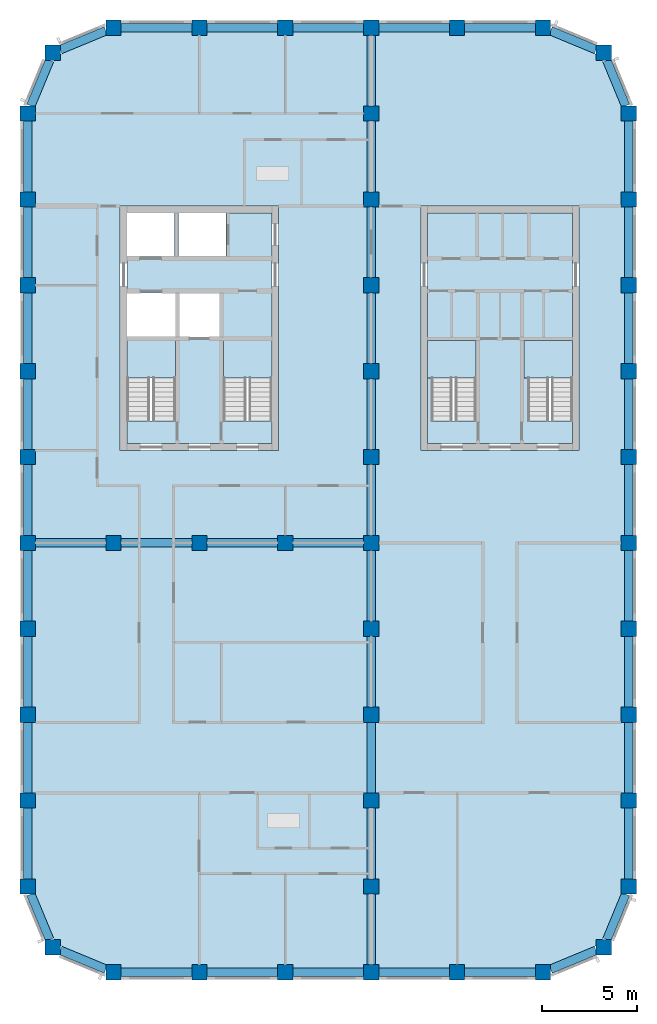
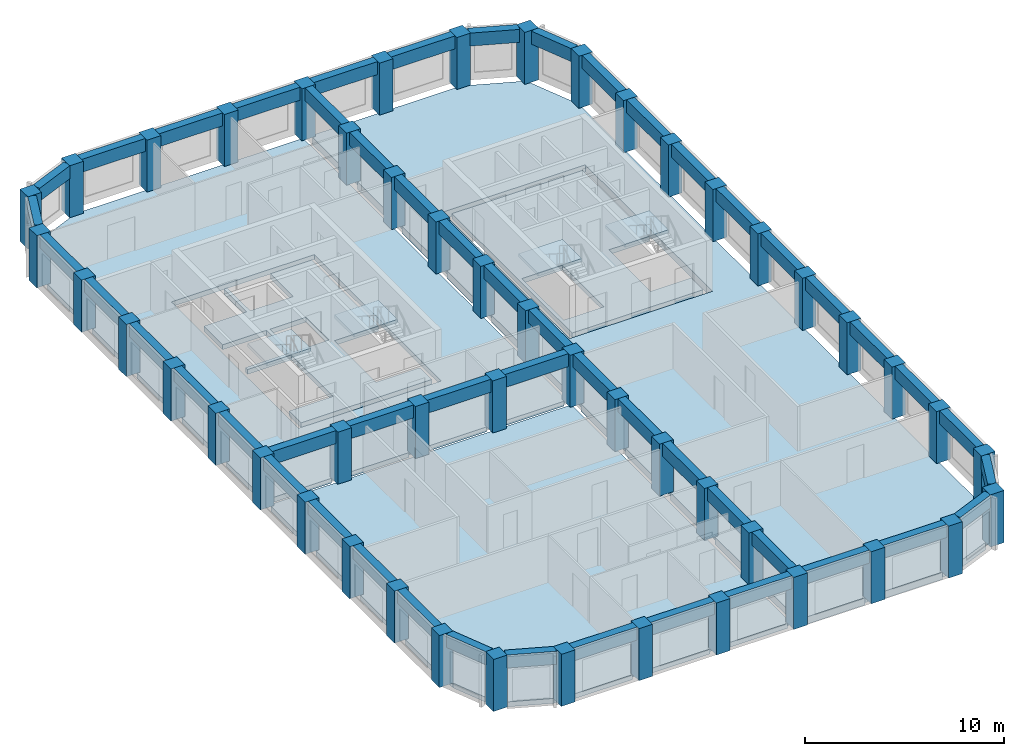
# One storey, part 1 of 9: 51 beams, 49 columns, 9 slabs, 4 elements without a shape of their own.
"""IFC4 building model written with IfcOpenShell, lengths in metres."""

from ifc_helpers import new_model, si_unit, direction, frame, origin, origin_2d, place, context, subcontext, project, spatial, polyline, rectangle, outline, extrude, material, layer, layer_set, material_profile, profile_set, type_object, element, aggregate, save


model = new_model("IFC4")

# Units and contexts
model_context = context("Model", 3, precision=1e-05, world=origin(), true_north=direction((0.0, 1.0)))
body_context = subcontext(model_context, "Body", "Model", "MODEL_VIEW")
ifc_project = project(units=[si_unit("LENGTHUNIT", "METRE"), si_unit("AREAUNIT", "SQUARE_METRE"), si_unit("VOLUMEUNIT", "CUBIC_METRE"), si_unit("PLANEANGLEUNIT", "RADIAN"), si_unit("MASSUNIT", "GRAM", prefix="KILO")], contexts=[model_context])

# Site, building, storey
site_placement = place(None, origin())
site = spatial("IfcSite", under=ifc_project, at=site_placement, CompositionType="ELEMENT")
building_placement = place(site_placement, origin())
building = spatial("IfcBuilding", under=site, at=building_placement, Name="Girih Gate Residences", CompositionType="ELEMENT")
storey_placement = place(building_placement, frame((0.0, 0.0, 189.10009765625)))
storey = spatial("IfcBuildingStorey", under=building, at=storey_placement, Name="L52", CompositionType="ELEMENT", Elevation=189.10009765625)

# Columns
ifc_material_1 = material(Name="Concrete C60/75", Category="concrete")
ifc_material_profile_1 = material_profile(ifc_material_1, rectangle(XDim=0.800048828125, YDim=0.800048828125, at=origin_2d()))
ifc_profile_set_1 = profile_set([ifc_material_profile_1], Name="Concrete C60/75")
column_type = type_object("IfcColumnType", Name="Pier RC 800x800 Concrete C60/75", PredefinedType="COLUMN", material=ifc_profile_set_1)
for number, where, z_axis, x_axis, name in (
    (1, (4.5, 0.0, 0.0), (0.0, 0.0, 1.0), (1.0, 0.0, 0.0), "Pier P2A L52"),
    (2, (9.0, 0.0, 0.0), (0.0, 0.0, 1.0), (1.0, 0.0, 0.0), "Pier P3A L52"),
    (3, (13.5, 0.0, 0.0), (0.0, 0.0, 1.0), (1.0, 0.0, 0.0), "Pier P4A L52"),
    (4, (18.0, 0.0, 0.0), (0.0, 0.0, 1.0), (1.0, 0.0, 0.0), "Pier P5A L52"),
    (5, (22.5, 0.0, 0.0), (0.0, 0.0, 1.0), (1.0, 0.0, 0.0), "Pier P6A L52"),
    (6, (27.0, 0.0, 0.0), (0.0, 0.0, 1.0), (1.0, 0.0, 0.0), "Pier P7A L52"),
    (7, (1.318115234375, 1.318115234375, 0.0), (0.0, 0.0, 1.0), (1.0, 0.0, 0.0), "Pier P1ANE L52"),
    (8, (30.181884765625, 1.318115234375, 0.0), (0.0, 0.0, 1.0), (1.0, 0.0, 0.0), "Pier P8ANW L52"),
    (9, (0.0, 4.5, 0.0), (0.0, 0.0, 1.0), (1.0, 0.0, 0.0), "Pier P1B L52"),
    (10, (18.0, 4.5, 0.0), (0.0, 0.0, 1.0), (1.0, 0.0, 0.0), "Pier P5B L52"),
    (11, (31.5, 4.5, 0.0), (0.0, 0.0, 1.0), (1.0, 0.0, 0.0), "Pier P8B L52"),
    (12, (0.0, 9.0, 0.0), (0.0, 0.0, 1.0), (1.0, 0.0, 0.0), "Pier P1C L52"),
    (13, (18.0, 9.0, 0.0), (0.0, 0.0, 1.0), (1.0, 0.0, 0.0), "Pier P5C L52"),
    (14, (31.5, 9.0, 0.0), (0.0, 0.0, 1.0), (1.0, 0.0, 0.0), "Pier P8C L52"),
    (15, (0.0, 13.5, 0.0), (0.0, 0.0, 1.0), (1.0, 0.0, 0.0), "Pier P1D L52"),
    (16, (18.0, 13.5, 0.0), (0.0, 0.0, 1.0), (1.0, 0.0, 0.0), "Pier P5D L52"),
    (17, (31.5, 13.5, 0.0), (0.0, 0.0, 1.0), (1.0, 0.0, 0.0), "Pier P8D L52"),
    (18, (0.0, 18.0, 0.0), (0.0, 0.0, 1.0), (1.0, 0.0, 0.0), "Pier P1E L52"),
    (19, (18.0, 18.0, 0.0), (0.0, 0.0, 1.0), (1.0, 0.0, 0.0), "Pier P5E L52"),
    (20, (31.5, 18.0, 0.0), (0.0, 0.0, 1.0), (1.0, 0.0, 0.0), "Pier P8E L52"),
    (21, (0.0, 22.5, 0.0), (0.0, 0.0, 1.0), (1.0, 0.0, 0.0), "Pier P1F L52"),
    (22, (4.5, 22.5, 0.0), (0.0, 0.0, 1.0), (1.0, 0.0, 0.0), "Pier P2F L52"),
    (23, (9.0, 22.5, 0.0), (0.0, 0.0, 1.0), (1.0, 0.0, 0.0), "Pier P3F L52"),
    (24, (13.5, 22.5, 0.0), (0.0, 0.0, 1.0), (1.0, 0.0, 0.0), "Pier P4F L52"),
    (25, (18.0, 22.5, 0.0), (0.0, 0.0, 1.0), (1.0, 0.0, 0.0), "Pier P5F L52"),
    (26, (31.5, 22.5, 0.0), (0.0, 0.0, 1.0), (1.0, 0.0, 0.0), "Pier P8F L52"),
    (27, (0.0, 27.0, 0.0), (0.0, 0.0, 1.0), (1.0, 0.0, 0.0), "Pier P1G L52"),
    (28, (18.0, 27.0, 0.0), (0.0, 0.0, 1.0), (1.0, 0.0, 0.0), "Pier P5G L52"),
    (29, (31.5, 27.0, 0.0), (0.0, 0.0, 1.0), (1.0, 0.0, 0.0), "Pier P8G L52"),
    (30, (0.0, 31.5, 0.0), (0.0, 0.0, 1.0), (1.0, 0.0, 0.0), "Pier P1H L52"),
    (31, (18.0, 31.5, 0.0), (0.0, 0.0, 1.0), (1.0, 0.0, 0.0), "Pier P5H L52"),
    (32, (31.5, 31.5, 0.0), (0.0, 0.0, 1.0), (1.0, 0.0, 0.0), "Pier P8H L52"),
    (33, (0.0, 36.0, 0.0), (0.0, 0.0, 1.0), (1.0, 0.0, 0.0), "Pier P1I L52"),
    (34, (18.0, 36.0, 0.0), (0.0, 0.0, 1.0), (1.0, 0.0, 0.0), "Pier P5I L52"),
    (35, (31.5, 36.0, 0.0), (0.0, 0.0, 1.0), (1.0, 0.0, 0.0), "Pier P8I L52"),
    (36, (0.0, 40.5, 0.0), (0.0, 0.0, 1.0), (1.0, 0.0, 0.0), "Pier P1J L52"),
    (37, (18.0, 40.5, 0.0), (0.0, 0.0, 1.0), (1.0, 0.0, 0.0), "Pier P5J L52"),
    (38, (31.5, 40.5, 0.0), (0.0, 0.0, 1.0), (1.0, 0.0, 0.0), "Pier P8J L52"),
    (39, (0.0, 45.0, 0.0), (0.0, 0.0, 1.0), (1.0, 0.0, 0.0), "Pier P1K L52"),
    (40, (18.0, 45.0, 0.0), (0.0, 0.0, 1.0), (1.0, 0.0, 0.0), "Pier P5K L52"),
    (41, (31.5, 45.0, 0.0), (0.0, 0.0, 1.0), (1.0, 0.0, 0.0), "Pier P8K L52"),
    (42, (1.318115234375, 48.181884765625, 0.0), (0.0, 0.0, 1.0), (1.0, 0.0, 0.0), "Pier P1LSE L52"),
    (43, (30.181884765625, 48.181884765625, 0.0), (0.0, 0.0, 1.0), (1.0, 0.0, 0.0), "Pier P8LSW L52"),
    (44, (4.5, 49.5, 0.0), (0.0, 0.0, 1.0), (1.0, 0.0, 0.0), "Pier P2L L52"),
    (45, (9.0, 49.5, 0.0), (0.0, 0.0, 1.0), (1.0, 0.0, 0.0), "Pier P3L L52"),
    (46, (13.5, 49.5, 0.0), (0.0, 0.0, 1.0), (1.0, 0.0, 0.0), "Pier P4L L52"),
    (47, (18.0, 49.5, 0.0), (0.0, 0.0, 1.0), (1.0, 0.0, 0.0), "Pier P5L L52"),
    (48, (22.5, 49.5, 0.0), (0.0, 0.0, 1.0), (1.0, 0.0, 0.0), "Pier P6L L52"),
    (49, (27.0, 49.5, 0.0), (0.0, 0.0, 1.0), (1.0, 0.0, 0.0), "Pier P7L L52"),
):
    element("IfcColumn", number, at=place(storey_placement, frame(where, z_axis=z_axis, x_axis=x_axis)), inside=storey, type_object=column_type, Name=name, PredefinedType="COLUMN", context=body_context, shape_type="SweptSolid", body=[
        extrude(rectangle(XDim=0.800048828125, YDim=0.800048828125, at=origin_2d()), origin(), (0.0, 0.0, 1.0), 3.199951171875),
    ])

# Beams
ifc_material_profile_2 = material_profile(ifc_material_1, rectangle(XDim=0.449951171875, YDim=0.800048828125, at=origin_2d()))
ifc_profile_set_2 = profile_set([ifc_material_profile_2], Name="Concrete C60/75")
beam_type = type_object("IfcBeamType", Name="Spandrel girder RC 450x800 Concrete C60/75", PredefinedType="BEAM", material=ifc_profile_set_2)
for number, where, z_axis, x_axis, name in (
    (50, (27.39990234375, 0.165771484375, 2.7998046875), (0.923895659062, 0.382644497107, 0.0), (-0.382644497107, 0.923895659062, 0.0), "Spandrel girder SP-P7A-P8ANW L52"),
    (51, (30.34765625, 1.718017578125, 2.7998046875), (0.382644497107, 0.923895659062, 0.0), (-0.923895659062, 0.382644497107, 0.0), "Spandrel girder SP-P8ANW-P8B L52"),
):
    element("IfcBeam", number, at=place(storey_placement, frame(where, z_axis=z_axis, x_axis=x_axis)), inside=storey, type_object=beam_type, Name=name, PredefinedType="BEAM", context=body_context, shape_type="SweptSolid", body=[
        extrude(rectangle(XDim=0.449951171875, YDim=0.800048828125, at=origin_2d()), origin(), (0.0, 0.0, 1.0), 2.578369140625),
    ])
for number, where, z_axis, x_axis, name in (
    (52, (31.5, 4.89990234375, 2.7998046875), (0.0, 1.0, 0.0), (-1.0, 0.0, 0.0), "Spandrel girder SP-P8B-P8C L52"),
    (53, (31.5, 9.39990234375, 2.7998046875), (0.0, 1.0, 0.0), (-1.0, 0.0, 0.0), "Spandrel girder SP-P8C-P8D L52"),
    (54, (31.5, 13.89990234375, 2.7998046875), (0.0, 1.0, 0.0), (-1.0, 0.0, 0.0), "Spandrel girder SP-P8D-P8E L52"),
    (55, (31.5, 18.39990234375, 2.7998046875), (0.0, 1.0, 0.0), (-1.0, 0.0, 0.0), "Spandrel girder SP-P8E-P8F L52"),
    (56, (31.5, 22.89990234375, 2.7998046875), (0.0, 1.0, 0.0), (-1.0, 0.0, 0.0), "Spandrel girder SP-P8F-P8G L52"),
    (57, (31.5, 27.39990234375, 2.7998046875), (0.0, 1.0, 0.0), (-1.0, 0.0, 0.0), "Spandrel girder SP-P8G-P8H L52"),
    (58, (31.5, 31.89990234375, 2.7998046875), (0.0, 1.0, 0.0), (-1.0, 0.0, 0.0), "Spandrel girder SP-P8H-P8I L52"),
    (59, (31.5, 36.39990234375, 2.7998046875), (0.0, 1.0, 0.0), (-1.0, 0.0, 0.0), "Spandrel girder SP-P8I-P8J L52"),
    (60, (31.5, 40.89990234375, 2.7998046875), (0.0, 1.0, 0.0), (-1.0, 0.0, 0.0), "Spandrel girder SP-P8J-P8K L52"),
):
    element("IfcBeam", number, at=place(storey_placement, frame(where, z_axis=z_axis, x_axis=x_axis)), inside=storey, type_object=beam_type, Name=name, PredefinedType="BEAM", context=body_context, shape_type="SweptSolid", body=[
        extrude(rectangle(XDim=0.449951171875, YDim=0.800048828125, at=origin_2d()), origin(), (0.0, 0.0, 1.0), 3.7001953125),
    ])
for number, where, z_axis, x_axis, name in (
    (61, (31.334228515625, 45.39990234375, 2.7998046875), (-0.382644497107, 0.923895659062, 0.0), (-0.923895659062, -0.382644497107, 0.0), "Spandrel girder SP-P8K-P8LSW L52"),
    (62, (29.781982421875, 48.34765625, 2.7998046875), (-0.923895659062, 0.382644497107, 0.0), (-0.382644497107, -0.923895659062, 0.0), "Spandrel girder SP-P8LSW-P7L L52"),
):
    element("IfcBeam", number, at=place(storey_placement, frame(where, z_axis=z_axis, x_axis=x_axis)), inside=storey, type_object=beam_type, Name=name, PredefinedType="BEAM", context=body_context, shape_type="SweptSolid", body=[
        extrude(rectangle(XDim=0.449951171875, YDim=0.800048828125, at=origin_2d()), origin(), (0.0, 0.0, 1.0), 2.578369140625),
    ])
for number, where, z_axis, x_axis, name in (
    (63, (26.60009765625, 49.5, 2.7998046875), (-1.0, 0.0, 0.0), (0.0, -1.0, 0.0), "Spandrel girder SP-P7L-P6L L52"),
    (64, (22.10009765625, 49.5, 2.7998046875), (-1.0, 0.0, 0.0), (0.0, -1.0, 0.0), "Spandrel girder SP-P6L-P5L L52"),
    (65, (17.60009765625, 49.5, 2.7998046875), (-1.0, 0.0, 0.0), (0.0, -1.0, 0.0), "Spandrel girder SP-P5L-P4L L52"),
    (66, (13.10009765625, 49.5, 2.7998046875), (-1.0, 0.0, 0.0), (0.0, -1.0, 0.0), "Spandrel girder SP-P4L-P3L L52"),
    (67, (8.60009765625, 49.5, 2.7998046875), (-1.0, 0.0, 0.0), (0.0, -1.0, 0.0), "Spandrel girder SP-P3L-P2L L52"),
):
    element("IfcBeam", number, at=place(storey_placement, frame(where, z_axis=z_axis, x_axis=x_axis)), inside=storey, type_object=beam_type, Name=name, PredefinedType="BEAM", context=body_context, shape_type="SweptSolid", body=[
        extrude(rectangle(XDim=0.449951171875, YDim=0.800048828125, at=origin_2d()), origin(), (0.0, 0.0, 1.0), 3.7001953125),
    ])
for number, where, z_axis, x_axis, name in (
    (68, (4.10009765625, 49.334228515625, 2.7998046875), (-0.923895659062, -0.382644497107, 0.0), (0.382644497107, -0.923895659062, 0.0), "Spandrel girder SP-P2L-P1LSE L52"),
    (69, (1.15234375, 47.781982421875, 2.7998046875), (-0.382644497107, -0.923895659062, 0.0), (0.923895659062, -0.382644497107, 0.0), "Spandrel girder SP-P1LSE-P1K L52"),
):
    element("IfcBeam", number, at=place(storey_placement, frame(where, z_axis=z_axis, x_axis=x_axis)), inside=storey, type_object=beam_type, Name=name, PredefinedType="BEAM", context=body_context, shape_type="SweptSolid", body=[
        extrude(rectangle(XDim=0.449951171875, YDim=0.800048828125, at=origin_2d()), origin(), (0.0, 0.0, 1.0), 2.578369140625),
    ])
for number, where, z_axis, x_axis, name in (
    (70, (0.0, 44.60009765625, 2.7998046875), (0.0, -1.0, 0.0), (1.0, 0.0, 0.0), "Spandrel girder SP-P1K-P1J L52"),
    (71, (0.0, 40.10009765625, 2.7998046875), (0.0, -1.0, 0.0), (1.0, 0.0, 0.0), "Spandrel girder SP-P1J-P1I L52"),
    (72, (0.0, 35.60009765625, 2.7998046875), (0.0, -1.0, 0.0), (1.0, 0.0, 0.0), "Spandrel girder SP-P1I-P1H L52"),
    (73, (0.0, 31.10009765625, 2.7998046875), (0.0, -1.0, 0.0), (1.0, 0.0, 0.0), "Spandrel girder SP-P1H-P1G L52"),
    (74, (0.0, 26.60009765625, 2.7998046875), (0.0, -1.0, 0.0), (1.0, 0.0, 0.0), "Spandrel girder SP-P1G-P1F L52"),
    (75, (0.0, 22.10009765625, 2.7998046875), (0.0, -1.0, 0.0), (1.0, 0.0, 0.0), "Spandrel girder SP-P1F-P1E L52"),
    (76, (0.0, 17.60009765625, 2.7998046875), (0.0, -1.0, 0.0), (1.0, 0.0, 0.0), "Spandrel girder SP-P1E-P1D L52"),
    (77, (0.0, 13.10009765625, 2.7998046875), (0.0, -1.0, 0.0), (1.0, 0.0, 0.0), "Spandrel girder SP-P1D-P1C L52"),
    (78, (0.0, 8.60009765625, 2.7998046875), (0.0, -1.0, 0.0), (1.0, 0.0, 0.0), "Spandrel girder SP-P1C-P1B L52"),
):
    element("IfcBeam", number, at=place(storey_placement, frame(where, z_axis=z_axis, x_axis=x_axis)), inside=storey, type_object=beam_type, Name=name, PredefinedType="BEAM", context=body_context, shape_type="SweptSolid", body=[
        extrude(rectangle(XDim=0.449951171875, YDim=0.800048828125, at=origin_2d()), origin(), (0.0, 0.0, 1.0), 3.7001953125),
    ])
for number, where, z_axis, x_axis, name in (
    (79, (0.165771484375, 4.10009765625, 2.7998046875), (0.382644497107, -0.923895659062, 0.0), (0.923895659062, 0.382644497107, 0.0), "Spandrel girder SP-P1B-P1ANE L52"),
    (80, (1.718017578125, 1.15234375, 2.7998046875), (0.923895659062, -0.382644497107, 0.0), (0.382644497107, 0.923895659062, 0.0), "Spandrel girder SP-P1ANE-P2A L52"),
):
    element("IfcBeam", number, at=place(storey_placement, frame(where, z_axis=z_axis, x_axis=x_axis)), inside=storey, type_object=beam_type, Name=name, PredefinedType="BEAM", context=body_context, shape_type="SweptSolid", body=[
        extrude(rectangle(XDim=0.449951171875, YDim=0.800048828125, at=origin_2d()), origin(), (0.0, 0.0, 1.0), 2.578369140625),
    ])
for number, where, z_axis, x_axis, name in (
    (81, (4.89990234375, 0.0, 2.7998046875), (1.0, 0.0, 0.0), (0.0, 1.0, 0.0), "Spandrel girder SP-P2A-P3A L52"),
    (82, (9.39990234375, 0.0, 2.7998046875), (1.0, 0.0, 0.0), (0.0, 1.0, 0.0), "Spandrel girder SP-P3A-P4A L52"),
    (83, (13.89990234375, 0.0, 2.7998046875), (1.0, 0.0, 0.0), (0.0, 1.0, 0.0), "Spandrel girder SP-P4A-P5A L52"),
    (84, (18.39990234375, 0.0, 2.7998046875), (1.0, 0.0, 0.0), (0.0, 1.0, 0.0), "Spandrel girder SP-P5A-P6A L52"),
    (85, (22.89990234375, 0.0, 2.7998046875), (1.0, 0.0, 0.0), (0.0, 1.0, 0.0), "Spandrel girder SP-P6A-P7A L52"),
    (86, (18.0, 0.39990234375, 2.7998046875), (0.0, 1.0, 0.0), (-1.0, 0.0, 0.0), "Spandrel girder SP-P5A-P5B L52"),
    (87, (18.0, 4.89990234375, 2.7998046875), (0.0, 1.0, 0.0), (-1.0, 0.0, 0.0), "Spandrel girder SP-P5B-P5C L52"),
    (88, (18.0, 9.39990234375, 2.7998046875), (0.0, 1.0, 0.0), (-1.0, 0.0, 0.0), "Spandrel girder SP-P5C-P5D L52"),
    (89, (18.0, 13.89990234375, 2.7998046875), (0.0, 1.0, 0.0), (-1.0, 0.0, 0.0), "Spandrel girder SP-P5D-P5E L52"),
    (90, (18.0, 18.39990234375, 2.7998046875), (0.0, 1.0, 0.0), (-1.0, 0.0, 0.0), "Spandrel girder SP-P5E-P5F L52"),
    (91, (18.0, 22.89990234375, 2.7998046875), (0.0, 1.0, 0.0), (-1.0, 0.0, 0.0), "Spandrel girder SP-P5F-P5G L52"),
    (92, (18.0, 27.39990234375, 2.7998046875), (0.0, 1.0, 0.0), (-1.0, 0.0, 0.0), "Spandrel girder SP-P5G-P5H L52"),
    (93, (18.0, 31.89990234375, 2.7998046875), (0.0, 1.0, 0.0), (-1.0, 0.0, 0.0), "Spandrel girder SP-P5H-P5I L52"),
    (94, (18.0, 36.39990234375, 2.7998046875), (0.0, 1.0, 0.0), (-1.0, 0.0, 0.0), "Spandrel girder SP-P5I-P5J L52"),
    (95, (18.0, 40.89990234375, 2.7998046875), (0.0, 1.0, 0.0), (-1.0, 0.0, 0.0), "Spandrel girder SP-P5J-P5K L52"),
    (96, (18.0, 45.39990234375, 2.7998046875), (0.0, 1.0, 0.0), (-1.0, 0.0, 0.0), "Spandrel girder SP-P5K-P5L L52"),
    (97, (0.39990234375, 22.5, 2.7998046875), (1.0, 0.0, 0.0), (0.0, 1.0, 0.0), "Spandrel girder SP-P1F-P2F L52"),
    (98, (4.89990234375, 22.5, 2.7998046875), (1.0, 0.0, 0.0), (0.0, 1.0, 0.0), "Spandrel girder SP-P2F-P3F L52"),
    (99, (9.39990234375, 22.5, 2.7998046875), (1.0, 0.0, 0.0), (0.0, 1.0, 0.0), "Spandrel girder SP-P3F-P4F L52"),
    (100, (13.89990234375, 22.5, 2.7998046875), (1.0, 0.0, 0.0), (0.0, 1.0, 0.0), "Spandrel girder SP-P4F-P5F L52"),
):
    element("IfcBeam", number, at=place(storey_placement, frame(where, z_axis=z_axis, x_axis=x_axis)), inside=storey, type_object=beam_type, Name=name, PredefinedType="BEAM", context=body_context, shape_type="SweptSolid", body=[
        extrude(rectangle(XDim=0.449951171875, YDim=0.800048828125, at=origin_2d()), origin(), (0.0, 0.0, 1.0), 3.7001953125),
    ])

# Slabs
ifc_material_2 = material(Name="Concrete C40/50", Category="concrete")
ifc_layer_1 = layer(ifc_material_2, 0.300048828125)
ifc_layer_set_1 = layer_set([ifc_layer_1], Name="Core floor slab 300")
slab_type_1 = type_object("IfcSlabType", Name="Core floor slab 300", PredefinedType="FLOOR", material=ifc_layer_set_1)
slab_1_placement = place(storey_placement, frame((0.0, 0.0, -0.300048828125)))
element("IfcSlab", 101, at=slab_1_placement, inside=storey, type_object=slab_type_1, Name="L52 W core floor", PredefinedType="FLOOR", context=body_context, shape_type="SweptSolid", body=[
    extrude(outline(polyline([(12.800048828125, 27.699951171875), (5.199951171875, 27.699951171875), (5.199951171875, 28.900634765625), (7.75, 28.900634765625), (7.75, 33.10009765625), (5.199951171875, 33.10009765625), (5.199951171875, 33.300048828125), (7.75, 33.300048828125), (7.75, 35.60009765625), (5.199951171875, 35.60009765625), (5.199951171875, 37.5), (7.699951171875, 37.5), (7.699951171875, 39.800048828125), (7.89990234375, 39.800048828125), (7.89990234375, 37.5), (10.39990234375, 37.5), (10.39990234375, 39.800048828125), (12.800048828125, 39.800048828125), (12.800048828125, 33.10009765625), (10.25, 33.10009765625), (10.25, 28.900634765625), (12.800048828125, 28.900634765625), (12.800048828125, 27.699951171875)]), holes=[polyline([(7.949951171875, 33.300048828125), (10.050048828125, 33.300048828125), (10.050048828125, 35.60009765625), (7.949951171875, 35.60009765625), (7.949951171875, 33.300048828125)])]), origin(), (0.0, 0.0, 1.0), 0.300048828125),
])
slab_2_placement = place(storey_placement, frame((0.0, 0.0, -0.300048828125)))
element("IfcSlab", 102, at=slab_2_placement, inside=storey, type_object=slab_type_1, Name="L52 C core floor", PredefinedType="FLOOR", context=body_context, shape_type="SweptSolid", body=[
    extrude(outline(polyline([(28.550048828125, 27.699951171875), (20.949951171875, 27.699951171875), (20.949951171875, 39.800048828125), (28.550048828125, 39.800048828125), (28.550048828125, 33.10009765625), (26.199951171875, 33.10009765625), (26.199951171875, 28.900634765625), (28.550048828125, 28.900634765625), (28.550048828125, 27.699951171875)]), holes=[polyline([(23.5, 28.900634765625), (23.5, 33.10009765625), (21.14990234375, 33.10009765625), (21.14990234375, 28.900634765625), (23.5, 28.900634765625)])]), origin(), (0.0, 0.0, 1.0), 0.300048828125),
])
ifc_layer_2 = layer(ifc_material_2, 0.300048828125)
ifc_layer_set_2 = layer_set([ifc_layer_2], Name="Floor slab PT 300 Concrete C40/50")
slab_type_2 = type_object("IfcSlabType", Name="Floor slab PT 300 Concrete C40/50", PredefinedType="FLOOR", material=ifc_layer_set_2)
slab_3_placement = place(storey_placement, frame((0.0, 0.0, -0.300048828125)))
element("IfcSlab", 103, at=slab_3_placement, inside=storey, type_object=slab_type_2, Name="Floor slab L52 0", PredefinedType="FLOOR", context=body_context, shape_type="SweptSolid", body=[
    extrude(outline(polyline([(13.89990234375, 0.22509765625), (17.60009765625, 0.22509765625), (17.60009765625, 0.39990234375), (17.77490234375, 0.39990234375), (17.77490234375, 4.10009765625), (17.60009765625, 4.10009765625), (17.60009765625, 4.89990234375), (17.77490234375, 4.89990234375), (17.77490234375, 8.60009765625), (17.60009765625, 8.60009765625), (17.60009765625, 9.39990234375), (17.77490234375, 9.39990234375), (17.77490234375, 13.10009765625), (17.60009765625, 13.10009765625), (17.60009765625, 13.89990234375), (17.77490234375, 13.89990234375), (17.77490234375, 17.60009765625), (17.60009765625, 17.60009765625), (17.60009765625, 18.39990234375), (17.77490234375, 18.39990234375), (17.77490234375, 22.10009765625), (17.60009765625, 22.10009765625), (17.60009765625, 22.27490234375), (13.89990234375, 22.27490234375), (13.89990234375, 22.10009765625), (13.10009765625, 22.10009765625), (13.10009765625, 22.27490234375), (9.39990234375, 22.27490234375), (9.39990234375, 22.10009765625), (8.60009765625, 22.10009765625), (8.60009765625, 22.27490234375), (4.89990234375, 22.27490234375), (4.89990234375, 22.10009765625), (4.10009765625, 22.10009765625), (4.10009765625, 22.27490234375), (0.39990234375, 22.27490234375), (0.39990234375, 22.10009765625), (0.22509765625, 22.10009765625), (0.22509765625, 18.39990234375), (0.39990234375, 18.39990234375), (0.39990234375, 17.60009765625), (0.22509765625, 17.60009765625), (0.22509765625, 13.89990234375), (0.39990234375, 13.89990234375), (0.39990234375, 13.10009765625), (0.22509765625, 13.10009765625), (0.22509765625, 9.39990234375), (0.39990234375, 9.39990234375), (0.39990234375, 8.60009765625), (0.22509765625, 8.60009765625), (0.22509765625, 4.89990234375), (0.39990234375, 4.89990234375), (0.39990234375, 4.122314453125), (1.395751953125, 1.718017578125), (1.718017578125, 1.718017578125), (1.718017578125, 1.395751953125), (4.122314453125, 0.39990234375), (4.89990234375, 0.39990234375), (4.89990234375, 0.22509765625), (8.60009765625, 0.22509765625), (8.60009765625, 0.39990234375), (9.39990234375, 0.39990234375), (9.39990234375, 0.22509765625), (13.10009765625, 0.22509765625), (13.10009765625, 0.39990234375), (13.89990234375, 0.39990234375), (13.89990234375, 0.22509765625)])), origin(), (0.0, 0.0, 1.0), 0.300048828125),
])
slab_4_placement = place(storey_placement, frame((0.0, 0.0, -0.300048828125)))
element("IfcSlab", 104, at=slab_4_placement, inside=storey, type_object=slab_type_2, Name="Floor slab L52 2", PredefinedType="FLOOR", context=body_context, shape_type="SweptSolid", body=[
    extrude(outline(polyline([(0.22509765625, 26.60009765625), (0.22509765625, 22.89990234375), (0.39990234375, 22.89990234375), (0.39990234375, 22.72509765625), (4.10009765625, 22.72509765625), (4.10009765625, 22.89990234375), (4.89990234375, 22.89990234375), (4.89990234375, 22.72509765625), (8.60009765625, 22.72509765625), (8.60009765625, 22.89990234375), (9.39990234375, 22.89990234375), (9.39990234375, 22.72509765625), (13.10009765625, 22.72509765625), (13.10009765625, 22.89990234375), (13.89990234375, 22.89990234375), (13.89990234375, 22.72509765625), (17.60009765625, 22.72509765625), (17.60009765625, 22.89990234375), (17.77490234375, 22.89990234375), (17.77490234375, 26.60009765625), (17.60009765625, 26.60009765625), (17.60009765625, 27.39990234375), (17.77490234375, 27.39990234375), (17.77490234375, 31.10009765625), (17.60009765625, 31.10009765625), (17.60009765625, 31.89990234375), (17.77490234375, 31.89990234375), (17.77490234375, 35.60009765625), (17.60009765625, 35.60009765625), (17.60009765625, 36.39990234375), (17.77490234375, 36.39990234375), (17.77490234375, 40.10009765625), (17.60009765625, 40.10009765625), (17.60009765625, 40.89990234375), (17.77490234375, 40.89990234375), (17.77490234375, 44.60009765625), (17.60009765625, 44.60009765625), (17.60009765625, 45.39990234375), (17.77490234375, 45.39990234375), (17.77490234375, 49.10009765625), (17.60009765625, 49.10009765625), (17.60009765625, 49.27490234375), (13.89990234375, 49.27490234375), (13.89990234375, 49.10009765625), (13.10009765625, 49.10009765625), (13.10009765625, 49.27490234375), (9.39990234375, 49.27490234375), (9.39990234375, 49.10009765625), (8.60009765625, 49.10009765625), (8.60009765625, 49.27490234375), (4.89990234375, 49.27490234375), (4.89990234375, 49.10009765625), (4.122314453125, 49.10009765625), (1.718017578125, 48.104248046875), (1.718017578125, 47.781982421875), (1.395751953125, 47.781982421875), (0.39990234375, 45.377685546875), (0.39990234375, 44.60009765625), (0.22509765625, 44.60009765625), (0.22509765625, 40.89990234375), (0.39990234375, 40.89990234375), (0.39990234375, 40.10009765625), (0.22509765625, 40.10009765625), (0.22509765625, 36.39990234375), (0.39990234375, 36.39990234375), (0.39990234375, 35.60009765625), (0.22509765625, 35.60009765625), (0.22509765625, 31.89990234375), (0.39990234375, 31.89990234375), (0.39990234375, 31.10009765625), (0.22509765625, 31.10009765625), (0.22509765625, 27.39990234375), (0.39990234375, 27.39990234375), (0.39990234375, 26.60009765625), (0.22509765625, 26.60009765625)]), holes=[polyline([(13.14990234375, 40.14990234375), (13.14990234375, 27.35009765625), (4.85009765625, 27.35009765625), (4.85009765625, 40.14990234375), (13.14990234375, 40.14990234375)])]), origin(), (0.0, 0.0, 1.0), 0.300048828125),
])
ifc_layer_3 = layer(ifc_material_2, 0.449951171875)
ifc_layer_set_3 = layer_set([ifc_layer_3], Name="Floor slab PT 450 Concrete C40/50")
slab_type_3 = type_object("IfcSlabType", Name="Floor slab PT 450 Concrete C40/50", PredefinedType="FLOOR", material=ifc_layer_set_3)
slab_5_placement = place(storey_placement, frame((0.0, 0.0, -0.4501953125)))
element("IfcSlab", 105, at=slab_5_placement, inside=storey, type_object=slab_type_3, Name="Floor slab L52 1", PredefinedType="FLOOR", context=body_context, shape_type="SweptSolid", body=[
    extrude(outline(polyline([(22.89990234375, 0.22509765625), (26.60009765625, 0.22509765625), (26.60009765625, 0.39990234375), (27.377685546875, 0.39990234375), (29.781982421875, 1.395751953125), (29.781982421875, 1.718017578125), (30.104248046875, 1.718017578125), (31.10009765625, 4.122314453125), (31.10009765625, 4.89990234375), (31.27490234375, 4.89990234375), (31.27490234375, 8.60009765625), (31.10009765625, 8.60009765625), (31.10009765625, 9.39990234375), (31.27490234375, 9.39990234375), (31.27490234375, 13.10009765625), (31.10009765625, 13.10009765625), (31.10009765625, 13.89990234375), (31.27490234375, 13.89990234375), (31.27490234375, 17.60009765625), (31.10009765625, 17.60009765625), (31.10009765625, 18.39990234375), (31.27490234375, 18.39990234375), (31.27490234375, 22.10009765625), (31.10009765625, 22.10009765625), (31.10009765625, 22.89990234375), (31.27490234375, 22.89990234375), (31.27490234375, 26.60009765625), (31.10009765625, 26.60009765625), (31.10009765625, 27.39990234375), (31.27490234375, 27.39990234375), (31.27490234375, 31.10009765625), (31.10009765625, 31.10009765625), (31.10009765625, 31.89990234375), (31.27490234375, 31.89990234375), (31.27490234375, 35.60009765625), (31.10009765625, 35.60009765625), (31.10009765625, 36.39990234375), (31.27490234375, 36.39990234375), (31.27490234375, 40.10009765625), (31.10009765625, 40.10009765625), (31.10009765625, 40.89990234375), (31.27490234375, 40.89990234375), (31.27490234375, 44.60009765625), (31.10009765625, 44.60009765625), (31.10009765625, 45.377685546875), (30.104248046875, 47.781982421875), (29.781982421875, 47.781982421875), (29.781982421875, 48.104248046875), (27.377685546875, 49.10009765625), (26.60009765625, 49.10009765625), (26.60009765625, 49.27490234375), (22.89990234375, 49.27490234375), (22.89990234375, 49.10009765625), (22.10009765625, 49.10009765625), (22.10009765625, 49.27490234375), (18.39990234375, 49.27490234375), (18.39990234375, 49.10009765625), (18.22509765625, 49.10009765625), (18.22509765625, 45.39990234375), (18.39990234375, 45.39990234375), (18.39990234375, 44.60009765625), (18.22509765625, 44.60009765625), (18.22509765625, 40.89990234375), (18.39990234375, 40.89990234375), (18.39990234375, 40.10009765625), (18.22509765625, 40.10009765625), (18.22509765625, 36.39990234375), (18.39990234375, 36.39990234375), (18.39990234375, 35.60009765625), (18.22509765625, 35.60009765625), (18.22509765625, 31.89990234375), (18.39990234375, 31.89990234375), (18.39990234375, 31.10009765625), (18.22509765625, 31.10009765625), (18.22509765625, 27.39990234375), (18.39990234375, 27.39990234375), (18.39990234375, 26.60009765625), (18.22509765625, 26.60009765625), (18.22509765625, 22.89990234375), (18.39990234375, 22.89990234375), (18.39990234375, 22.10009765625), (18.22509765625, 22.10009765625), (18.22509765625, 18.39990234375), (18.39990234375, 18.39990234375), (18.39990234375, 17.60009765625), (18.22509765625, 17.60009765625), (18.22509765625, 13.89990234375), (18.39990234375, 13.89990234375), (18.39990234375, 13.10009765625), (18.22509765625, 13.10009765625), (18.22509765625, 9.39990234375), (18.39990234375, 9.39990234375), (18.39990234375, 8.60009765625), (18.22509765625, 8.60009765625), (18.22509765625, 4.89990234375), (18.39990234375, 4.89990234375), (18.39990234375, 4.10009765625), (18.22509765625, 4.10009765625), (18.22509765625, 0.39990234375), (18.39990234375, 0.39990234375), (18.39990234375, 0.22509765625), (22.10009765625, 0.22509765625), (22.10009765625, 0.39990234375), (22.89990234375, 0.39990234375), (22.89990234375, 0.22509765625)]), holes=[polyline([(28.89990234375, 40.14990234375), (28.89990234375, 27.35009765625), (20.60009765625, 27.35009765625), (20.60009765625, 40.14990234375), (28.89990234375, 40.14990234375)])]), origin(), (0.0, 0.0, 1.0), 0.4501953125),
])

# Stair, slab
stair_type_1 = type_object("IfcStairType", Name="Exit stair", PredefinedType="HALF_TURN_STAIR", material=ifc_material_2)
stair_1_placement = place(storey_placement, origin())
stair_1 = element("IfcStair", 106, at=stair_1_placement, inside=storey, type_object=stair_type_1, Name="L52 Exit Stair ST-W1", PredefinedType="HALF_TURN_STAIR")
ifc_layer_4 = layer(ifc_material_2, 0.199951171875)
ifc_layer_set_4 = layer_set([ifc_layer_4], Name="Stair landing 200")
slab_type_4 = type_object("IfcSlabType", Name="Stair landing 200", PredefinedType="LANDING", material=ifc_layer_set_4)
slab_6_placement = place(storey_placement, frame((0.0, 0.0, 1.39990234375)))
slab_6 = element("IfcSlab", 107, at=slab_6_placement, type_object=slab_type_4, Name="ST-W1 landing 1", PredefinedType="LANDING", context=body_context, shape_type="SweptSolid", body=[
    extrude(outline(polyline([(7.75, 31.14990234375), (7.75, 33.10009765625), (5.199951171875, 33.10009765625), (5.199951171875, 31.14990234375), (7.75, 31.14990234375)])), origin(), (0.0, 0.0, 1.0), 0.199951171875),
])
aggregate(stair_1, [slab_6])

stair_2_placement = place(storey_placement, origin())
stair_2 = element("IfcStair", 108, at=stair_2_placement, inside=storey, type_object=stair_type_1, Name="L52 Exit Stair ST-W2", PredefinedType="HALF_TURN_STAIR")
slab_7_placement = place(storey_placement, frame((0.0, 0.0, 1.39990234375)))
slab_7 = element("IfcSlab", 109, at=slab_7_placement, type_object=slab_type_4, Name="ST-W2 landing 1", PredefinedType="LANDING", context=body_context, shape_type="SweptSolid", body=[
    extrude(outline(polyline([(12.800048828125, 31.14990234375), (12.800048828125, 33.10009765625), (10.25, 33.10009765625), (10.25, 31.14990234375), (12.800048828125, 31.14990234375)])), origin(), (0.0, 0.0, 1.0), 0.199951171875),
])
aggregate(stair_2, [slab_7])

stair_type_2 = type_object("IfcStairType", Name="Exit stair C core", PredefinedType="HALF_TURN_STAIR", material=ifc_material_2)
stair_3_placement = place(storey_placement, origin())
stair_3 = element("IfcStair", 110, at=stair_3_placement, inside=storey, type_object=stair_type_2, Name="L52 Exit Stair ST-C1", PredefinedType="HALF_TURN_STAIR")
slab_8_placement = place(storey_placement, frame((0.0, 0.0, 1.39990234375)))
slab_8 = element("IfcSlab", 111, at=slab_8_placement, type_object=slab_type_4, Name="ST-C1 landing 1", PredefinedType="LANDING", context=body_context, shape_type="SweptSolid", body=[
    extrude(outline(polyline([(23.5, 31.14990234375), (23.5, 33.10009765625), (20.949951171875, 33.10009765625), (20.949951171875, 31.14990234375), (23.5, 31.14990234375)])), origin(), (0.0, 0.0, 1.0), 0.199951171875),
])
aggregate(stair_3, [slab_8])

stair_4_placement = place(storey_placement, origin())
stair_4 = element("IfcStair", 112, at=stair_4_placement, inside=storey, type_object=stair_type_2, Name="L52 Exit Stair ST-C2", PredefinedType="HALF_TURN_STAIR")
slab_9_placement = place(storey_placement, frame((0.0, 0.0, 1.39990234375)))
slab_9 = element("IfcSlab", 113, at=slab_9_placement, type_object=slab_type_4, Name="ST-C2 landing 1", PredefinedType="LANDING", context=body_context, shape_type="SweptSolid", body=[
    extrude(outline(polyline([(28.550048828125, 31.14990234375), (28.550048828125, 33.10009765625), (26.0, 33.10009765625), (26.0, 31.14990234375), (28.550048828125, 31.14990234375)])), origin(), (0.0, 0.0, 1.0), 0.199951171875),
])
aggregate(stair_4, [slab_9])

save(model, "model.ifc")
